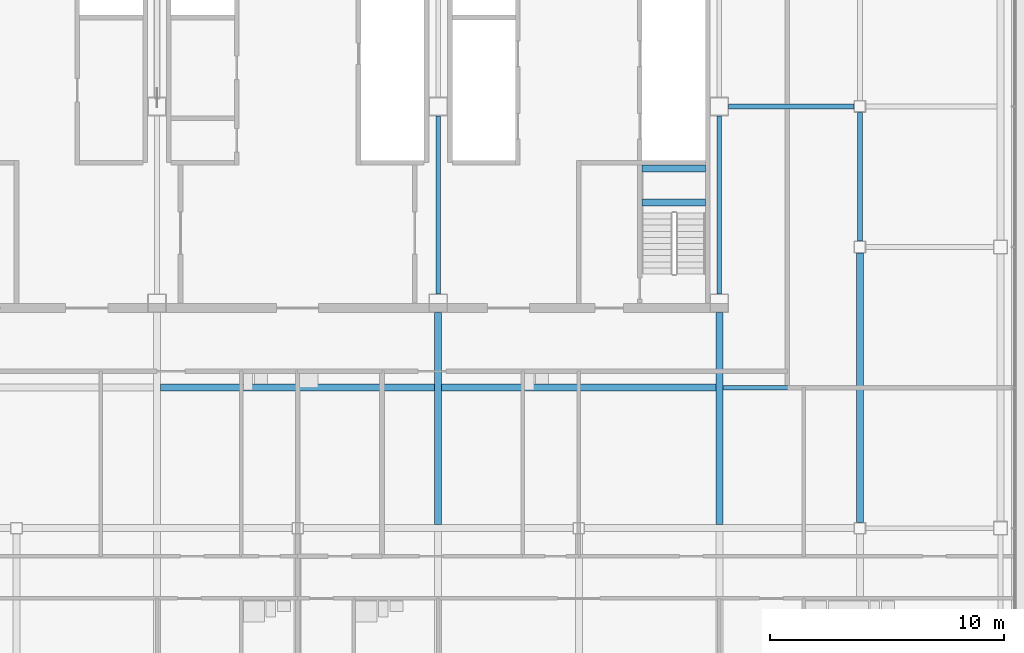
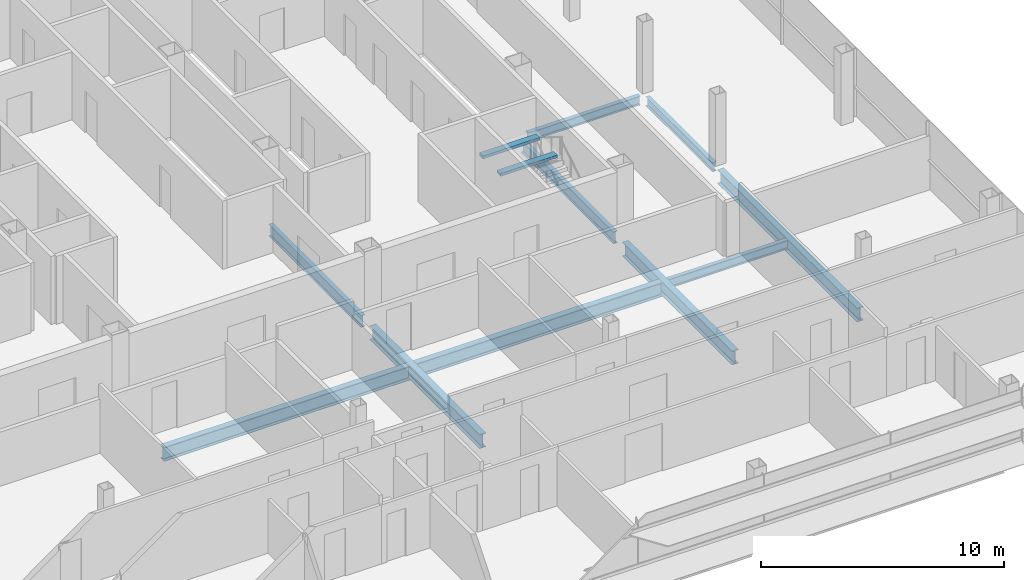
# One storey, part 11 of 28: 12 beams.
"""IFC4 building model written with IfcOpenShell, lengths in metres."""

import ifcopenshell
import ifcopenshell.guid

model = None  # the IFC model being written
_history = None  # IfcOwnerHistory: only IFC2X3 demands one
_inside = {}  # id of a spatial element -> (the spatial element, [elements in it])
_under = {}  # id of a project, library or spatial element -> (it, [spatial elements below it])
_declared = {}  # id of a project -> (the project, [libraries it declares])
_typed = {}  # id of a type object -> (the type object, [elements of that type])
_made_of = {}  # id of a material, layer set ... -> (it, [elements and type objects made of it])


def new_model(schema):
    """Start an empty IFC model of exactly this schema.

    Asked for "IFC4X3", IfcOpenShell would pick the latest addendum, in which some entities
    have other attributes; the version numbers below select the first issue.
    IFC2X3 requires an IfcOwnerHistory on every rooted entity: one is made here for all.
    """
    global model, _history
    if schema == "IFC4X3":
        model = ifcopenshell.file(schema_version=(4, 3, 0, 0))
    else:
        model = ifcopenshell.file(schema=schema)
    _inside.clear()
    _under.clear()
    _declared.clear()
    _typed.clear()
    _made_of.clear()
    _history = None
    if model.schema == "IFC2X3":
        org = make("IfcOrganization", Name="unknown")
        user = make(
            "IfcPersonAndOrganization",
            ThePerson=make("IfcPerson", FamilyName="unknown"),
            TheOrganization=org,
        )
        app = make(
            "IfcApplication",
            ApplicationDeveloper=org,
            Version="unknown",
            ApplicationFullName="unknown",
            ApplicationIdentifier="unknown",
        )
        _history = make(
            "IfcOwnerHistory",
            OwningUser=user,
            OwningApplication=app,
            ChangeAction="ADDED",
            CreationDate=0,
        )
    return model


def make(cls, **values):
    """One entity of the class cls with the attributes given. An attribute that is None is left unset."""
    return model.create_entity(
        cls, **{name: value for name, value in values.items() if value is not None}
    )


def rooted(cls, **values):
    """An entity with a GlobalId (a new one), such as an element, a storey or a relation."""
    return make(cls, GlobalId=ifcopenshell.guid.new(), OwnerHistory=_history, **values)


def si_unit(unit_type, name, prefix=None):
    """IfcSIUnit, for example si_unit("LENGTHUNIT", "METRE", prefix="MILLI")."""
    return make("IfcSIUnit", UnitType=unit_type, Prefix=prefix, Name=name)


def assignment(units):
    """IfcUnitAssignment: the units of a project."""
    return None if units is None else make("IfcUnitAssignment", Units=units)


def point(xyz):
    """IfcCartesianPoint."""
    return None if xyz is None else make("IfcCartesianPoint", Coordinates=xyz)


def direction(xyz):
    """IfcDirection."""
    return None if xyz is None else make("IfcDirection", DirectionRatios=xyz)


def frame(location, z_axis=None, x_axis=None):
    """IfcAxis2Placement3D, a coordinate frame: its origin and axes. An axis left out is left unset."""
    return make(
        "IfcAxis2Placement3D",
        Location=point(location),
        Axis=direction(z_axis),
        RefDirection=direction(x_axis),
    )


def frame_2d(location, x_axis=None):
    """IfcAxis2Placement2D, a coordinate frame in the plane: its origin and x axis."""
    return make(
        "IfcAxis2Placement2D", Location=point(location), RefDirection=direction(x_axis)
    )


def origin():
    """The frame at (0, 0, 0) with its axes left unset."""
    return frame((0.0, 0.0, 0.0))


def origin_2d():
    """The frame at (0, 0) in the plane with its x axis left unset."""
    return frame_2d((0.0, 0.0))


def place(relative_to, where):
    """IfcLocalPlacement: puts the frame where relative to a parent placement (None: the world)."""
    return make(
        "IfcLocalPlacement", PlacementRelTo=relative_to, RelativePlacement=where
    )


def context(
    kind, dimensions, precision=None, world=None, true_north=None, identifier=None
):
    """IfcGeometricRepresentationContext, for example the 3D "Model" context."""
    return make(
        "IfcGeometricRepresentationContext",
        ContextIdentifier=identifier,
        ContextType=kind,
        CoordinateSpaceDimension=dimensions,
        Precision=precision,
        WorldCoordinateSystem=world,
        TrueNorth=true_north,
    )


def subcontext(parent, identifier, kind, view, scale=None):
    """IfcGeometricRepresentationSubContext, for example "Body" below "Model"."""
    return make(
        "IfcGeometricRepresentationSubContext",
        ContextIdentifier=identifier,
        ContextType=kind,
        ParentContext=parent,
        TargetScale=scale,
        TargetView=view,
    )


def project(units=None, contexts=None):
    """IfcProject with its units and contexts."""
    return rooted(
        "IfcProject",
        Name="project",
        RepresentationContexts=contexts,
        UnitsInContext=assignment(units),
    )


def spatial(cls, under=None, at=None, **own):
    """A site, building, storey or space (cls), placed at a placement, below another one or the project."""
    s = rooted(cls, ObjectPlacement=at, **own)
    if under is not None:
        _under.setdefault(under.id(), (under, []))[1].append(s)
    return s


def profile(cls, at=None, kind="AREA", **sizes):
    """A parametric profile (cls). Its sizes go by their IFC names, for example OverallWidth=200.0."""
    return make(cls, ProfileType=kind, Position=at, **sizes)


def rectangle(**sizes):
    """IfcRectangleProfileDef."""
    return profile("IfcRectangleProfileDef", **sizes)


def i_section(**sizes):
    """IfcIShapeProfileDef."""
    return profile("IfcIShapeProfileDef", **sizes)


def extrude(swept, where, along, depth):
    """IfcExtrudedAreaSolid: the profile swept, set in the frame where, extruded along a direction by depth."""
    return make(
        "IfcExtrudedAreaSolid",
        SweptArea=swept,
        Position=where,
        ExtrudedDirection=direction(along),
        Depth=depth,
    )


def shape(context_of_items, identifier, shape_type, items):
    """IfcShapeRepresentation: the items that make up one representation, for example the "Body"."""
    return make(
        "IfcShapeRepresentation",
        ContextOfItems=context_of_items,
        RepresentationIdentifier=identifier,
        RepresentationType=shape_type,
        Items=items,
    )


def material(Name=None, Category=None):
    """IfcMaterial."""
    return make("IfcMaterial", Name=Name, Category=Category)


def material_profile(
    of_material, cross_section, Name=None, Category=None, Priority=None
):
    """IfcMaterialProfile: a cross section and its material."""
    return make(
        "IfcMaterialProfile",
        Name=Name,
        Material=of_material,
        Profile=cross_section,
        Priority=Priority,
        Category=Category,
    )


def profile_set(profiles, Name=None, composite=None):
    """IfcMaterialProfileSet."""
    return make(
        "IfcMaterialProfileSet",
        Name=Name,
        MaterialProfiles=profiles,
        CompositeProfile=composite,
    )


def made_of(thing, what):
    """Note that an element or type object is made of a material, layer set ...; save() writes the relation."""
    if what is not None:
        _made_of.setdefault(what.id(), (what, []))[1].append(thing)
    return thing


def type_object(cls, material=None, **own):
    """A type object (cls), such as IfcWallType, which elements share."""
    return made_of(rooted(cls, **own), material)


def element(
    cls,
    number,
    at=None,
    inside=None,
    cuts=None,
    type_object=None,
    material=None,
    context=None,
    identifier="Body",
    shape_type=None,
    held_by="IfcProductDefinitionShape",
    body=None,
    shapes=None,
    **own,
):
    """One element of the class cls, such as IfcWall. Its Tag is "e" and its number.

    at: its placement. inside: the storey or other place that contains it. cuts: it is an
    opening in that element (IfcRelVoidsElement). A single representation is given by context,
    identifier, shape_type and body (its items); several are given by shapes. held_by: the class
    of the entity that holds the representations. save() writes the other relations.
    """
    e = rooted(cls, Tag="e%d" % number, ObjectPlacement=at, **own)
    if body is not None:
        shapes = [shape(context, identifier, shape_type, body)]
    if shapes is not None:
        e.Representation = make(held_by, Representations=shapes)
    if inside is not None:
        _inside.setdefault(inside.id(), (inside, []))[1].append(e)
    if cuts is not None:
        rooted(
            "IfcRelVoidsElement", RelatingBuildingElement=cuts, RelatedOpeningElement=e
        )
    if type_object is not None:
        _typed.setdefault(type_object.id(), (type_object, []))[1].append(e)
    return made_of(e, material)


def aggregate(whole, parts):
    """IfcRelAggregates: a whole, such as a stair, and the parts it consists of."""
    return rooted("IfcRelAggregates", RelatingObject=whole, RelatedObjects=parts)


def save(model, path):
    """Write the relations noted so far, then the file.

    IfcRelAggregates (storeys below a building ...), IfcRelContainedInSpatialStructure (elements
    in a storey), IfcRelDefinesByType, IfcRelAssociatesMaterial and IfcRelDeclares: one each for
    every whole, place, type object, material and project.
    """
    for whole, parts in _under.values():
        aggregate(whole, parts)
    for where, things in _inside.values():
        rooted(
            "IfcRelContainedInSpatialStructure",
            RelatedElements=things,
            RelatingStructure=where,
        )
    for kind, things in _typed.values():
        rooted("IfcRelDefinesByType", RelatedObjects=things, RelatingType=kind)
    for what, things in _made_of.values():
        rooted("IfcRelAssociatesMaterial", RelatedObjects=things, RelatingMaterial=what)
    for by, libraries in _declared.values():
        rooted("IfcRelDeclares", RelatingContext=by, RelatedDefinitions=libraries)
    model.write(path)


model = new_model("IFC4")

# Units and contexts
model_context = context("Model", 3, precision=1e-05, world=origin(), true_north=direction((0.0, 1.0)))
body_context = subcontext(model_context, "Body", "Model", "MODEL_VIEW")
ifc_project = project(units=[si_unit("LENGTHUNIT", "METRE"), si_unit("AREAUNIT", "SQUARE_METRE"), si_unit("VOLUMEUNIT", "CUBIC_METRE"), si_unit("PLANEANGLEUNIT", "RADIAN"), si_unit("MASSUNIT", "GRAM", prefix="KILO")], contexts=[model_context])

# Site, building, storey
site_placement = place(None, origin())
site = spatial("IfcSite", under=ifc_project, at=site_placement, CompositionType="ELEMENT")
building_placement = place(site_placement, origin())
building = spatial("IfcBuilding", under=site, at=building_placement, Name="Sorahane Residences", CompositionType="ELEMENT")
storey_placement = place(building_placement, frame((0.0, 0.0, 270.199951171875)))
storey = spatial("IfcBuildingStorey", under=building, at=storey_placement, Name="L64", CompositionType="ELEMENT", Elevation=270.199951171875)

# Beams
ifc_material_1 = material(Name="Concrete C40", Category="concrete")
ifc_material_profile_1 = material_profile(ifc_material_1, rectangle(XDim=0.300048828125, YDim=0.139892578125, at=origin_2d()), Name="300x140")
ifc_profile_set_1 = profile_set([ifc_material_profile_1], Name="Concrete C40")
beam_type_1 = type_object("IfcBeamType", Name="RC landing beam 300 x 140 Concrete C40", PredefinedType="BEAM", material=ifc_profile_set_1)
for number, where, z_axis, x_axis, name in (
    (1, (38.699951171875, 25.89990234375, 1.530029296875), (1.0, 0.0, 0.0), (0.0, 1.0, 0.0), "Landing beam"),
    (2, (38.699951171875, 27.35009765625, 1.530029296875), (1.0, 0.0, 0.0), (0.0, 1.0, 0.0), "Landing beam"),
):
    element("IfcBeam", number, at=place(storey_placement, frame(where, z_axis=z_axis, x_axis=x_axis)), inside=storey, type_object=beam_type_1, Name=name, PredefinedType="BEAM", context=body_context, shape_type="SweptSolid", body=[
        extrude(rectangle(XDim=0.300048828125, YDim=0.139892578125, at=origin_2d()), origin(), (0.0, 0.0, 1.0), 2.699951171875),
    ])
ifc_material_2 = material(Name="Steel Q355B", Category="steel")
ifc_material_profile_2 = material_profile(ifc_material_2, i_section(OverallWidth=0.199951171875, OverallDepth=0.449951171875, WebThickness=0.009033203125, FlangeThickness=0.013916015625, FilletRadius=0.02001953125, at=origin_2d()), Name="HN 450x200x9x14")
ifc_profile_set_2 = profile_set([ifc_material_profile_2], Name="Steel Q355B")
beam_type_2 = type_object("IfcBeamType", Name="Steel floor beam HN 450x200x9x14 Q355B", PredefinedType="BEAM", material=ifc_profile_set_2)
beam_1_placement = place(storey_placement, frame((48.0, 24.25, -0.405029296875), z_axis=(0.0, 1.0, 0.0), x_axis=(-1.0, 0.0, 0.0)))
element("IfcBeam", 3, at=beam_1_placement, inside=storey, type_object=beam_type_2, Name="Beam L64 060", PredefinedType="BEAM", context=body_context, shape_type="SweptSolid", body=[
    extrude(i_section(OverallWidth=0.199951171875, OverallDepth=0.449951171875, WebThickness=0.009033203125, FlangeThickness=0.013916015625, FilletRadius=0.02001953125, at=origin_2d()), origin(), (0.0, 0.0, 1.0), 5.5),
])
beam_2_placement = place(storey_placement, frame((42.14990234375, 18.0, -0.405029296875), z_axis=(1.0, 0.0, 0.0), x_axis=(0.0, 1.0, 0.0)))
element("IfcBeam", 4, at=beam_2_placement, inside=storey, type_object=beam_type_2, Name="Beam L64 083", PredefinedType="BEAM", context=body_context, shape_type="SweptSolid", body=[
    extrude(i_section(OverallWidth=0.199951171875, OverallDepth=0.449951171875, WebThickness=0.009033203125, FlangeThickness=0.013916015625, FilletRadius=0.02001953125, at=origin_2d()), origin(), (0.0, 0.0, 1.0), 5.7001953125),
])
beam_3_placement = place(storey_placement, frame((42.39990234375, 30.0, -0.405029296875), z_axis=(1.0, 0.0, 0.0), x_axis=(0.0, 1.0, 0.0)))
element("IfcBeam", 5, at=beam_3_placement, inside=storey, type_object=beam_type_2, Name="Beam L64 087", PredefinedType="BEAM", context=body_context, shape_type="SweptSolid", body=[
    extrude(i_section(OverallWidth=0.199951171875, OverallDepth=0.449951171875, WebThickness=0.009033203125, FlangeThickness=0.013916015625, FilletRadius=0.02001953125, at=origin_2d()), origin(), (0.0, 0.0, 1.0), 5.35009765625),
])
ifc_material_3 = material(Name="Steel Q355B", Category="steel")
ifc_material_profile_3 = material_profile(ifc_material_3, i_section(OverallWidth=0.199951171875, OverallDepth=0.60009765625, WebThickness=0.010986328125, FlangeThickness=0.01708984375, FilletRadius=0.02392578125, at=origin_2d()), Name="HN 600x200x11x17")
ifc_profile_set_3 = profile_set([ifc_material_profile_3], Name="Steel Q355B")
beam_type_3 = type_object("IfcBeamType", Name="Steel floor beam HN 600x200x11x17 Q355B", PredefinedType="BEAM", material=ifc_profile_set_3)
for number, where, z_axis, x_axis, name in (
    (6, (30.0, 22.0, -0.47998046875), (0.0, 1.0, 0.0), (-1.0, 0.0, 0.0), "Beam L64 046"),
    (7, (42.0, 22.0, -0.47998046875), (0.0, 1.0, 0.0), (-1.0, 0.0, 0.0), "Beam L64 054"),
):
    element("IfcBeam", number, at=place(storey_placement, frame(where, z_axis=z_axis, x_axis=x_axis)), inside=storey, type_object=beam_type_3, Name=name, PredefinedType="BEAM", context=body_context, shape_type="SweptSolid", body=[
        extrude(i_section(OverallWidth=0.199951171875, OverallDepth=0.60009765625, WebThickness=0.010986328125, FlangeThickness=0.01708984375, FilletRadius=0.02392578125, at=origin_2d()), origin(), (0.0, 0.0, 1.0), 7.60009765625),
    ])
ifc_material_4 = material(Name="Steel Q355B", Category="steel")
ifc_material_profile_4 = material_profile(ifc_material_4, i_section(OverallWidth=0.300048828125, OverallDepth=0.699951171875, WebThickness=0.012939453125, FlangeThickness=0.02392578125, FilletRadius=0.028076171875, at=origin_2d()), Name="HN 700x300x13x24")
ifc_profile_set_4 = profile_set([ifc_material_profile_4], Name="Steel Q355B")
beam_type_4 = type_object("IfcBeamType", Name="Steel floor beam HN 700x300x13x24 Q355B", PredefinedType="BEAM", material=ifc_profile_set_4)
for number, where, z_axis, x_axis, name in (
    (8, (30.0, 12.14990234375, -0.530029296875), (0.0, 1.0, 0.0), (-1.0, 0.0, 0.0), "Beam L64 045"),
    (9, (42.0, 12.14990234375, -0.530029296875), (0.0, 1.0, 0.0), (-1.0, 0.0, 0.0), "Beam L64 053"),
):
    element("IfcBeam", number, at=place(storey_placement, frame(where, z_axis=z_axis, x_axis=x_axis)), inside=storey, type_object=beam_type_4, Name=name, PredefinedType="BEAM", context=body_context, shape_type="SweptSolid", body=[
        extrude(i_section(OverallWidth=0.300048828125, OverallDepth=0.699951171875, WebThickness=0.012939453125, FlangeThickness=0.02392578125, FilletRadius=0.028076171875, at=origin_2d()), origin(), (0.0, 0.0, 1.0), 9.050048828125),
    ])
beam_4_placement = place(storey_placement, frame((48.0, 12.25, -0.530029296875), z_axis=(0.0, 1.0, 0.0), x_axis=(-1.0, 0.0, 0.0)))
element("IfcBeam", 10, at=beam_4_placement, inside=storey, type_object=beam_type_4, Name="Beam L64 059", PredefinedType="BEAM", context=body_context, shape_type="SweptSolid", body=[
    extrude(i_section(OverallWidth=0.300048828125, OverallDepth=0.699951171875, WebThickness=0.012939453125, FlangeThickness=0.02392578125, FilletRadius=0.028076171875, at=origin_2d()), origin(), (0.0, 0.0, 1.0), 11.5),
])
for number, where, z_axis, x_axis, name in (
    (11, (18.14990234375, 18.0, -0.530029296875), (1.0, 0.0, 0.0), (0.0, 1.0, 0.0), "Beam L64 081"),
    (12, (30.14990234375, 18.0, -0.530029296875), (1.0, 0.0, 0.0), (0.0, 1.0, 0.0), "Beam L64 082"),
):
    element("IfcBeam", number, at=place(storey_placement, frame(where, z_axis=z_axis, x_axis=x_axis)), inside=storey, type_object=beam_type_4, Name=name, PredefinedType="BEAM", context=body_context, shape_type="SweptSolid", body=[
        extrude(i_section(OverallWidth=0.300048828125, OverallDepth=0.699951171875, WebThickness=0.012939453125, FlangeThickness=0.02392578125, FilletRadius=0.028076171875, at=origin_2d()), origin(), (0.0, 0.0, 1.0), 11.7001953125),
    ])

save(model, "model.ifc")
